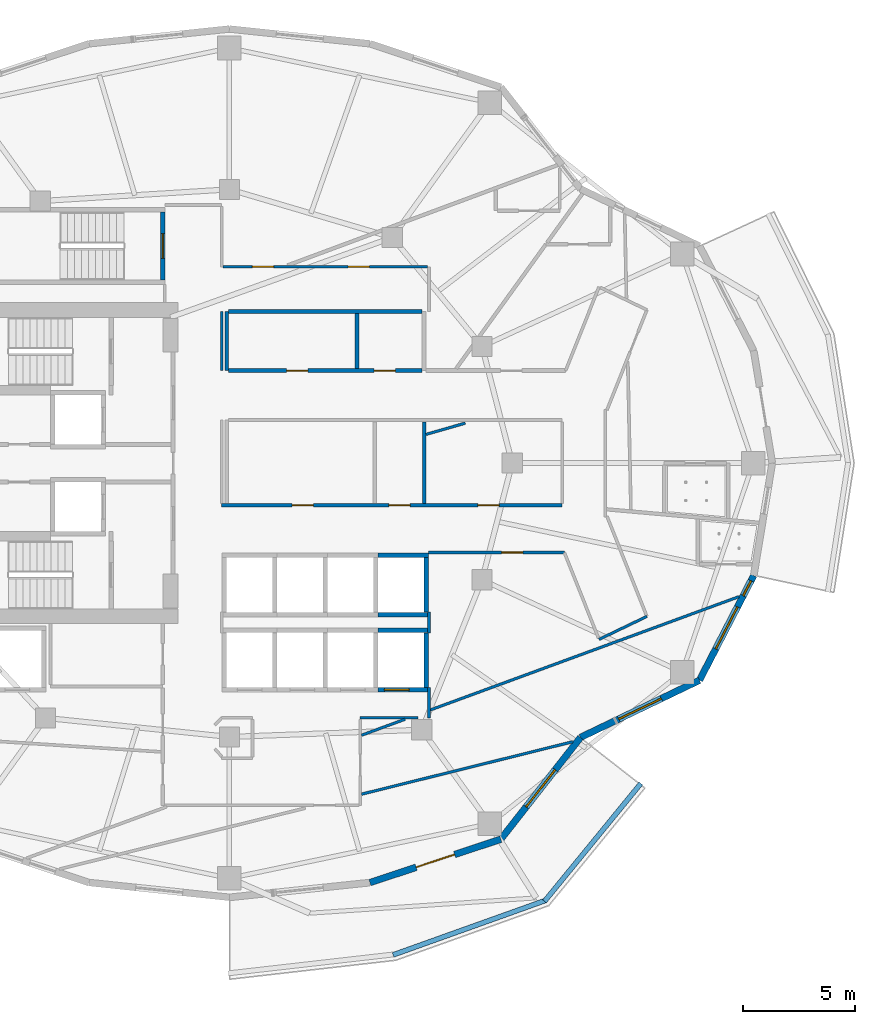
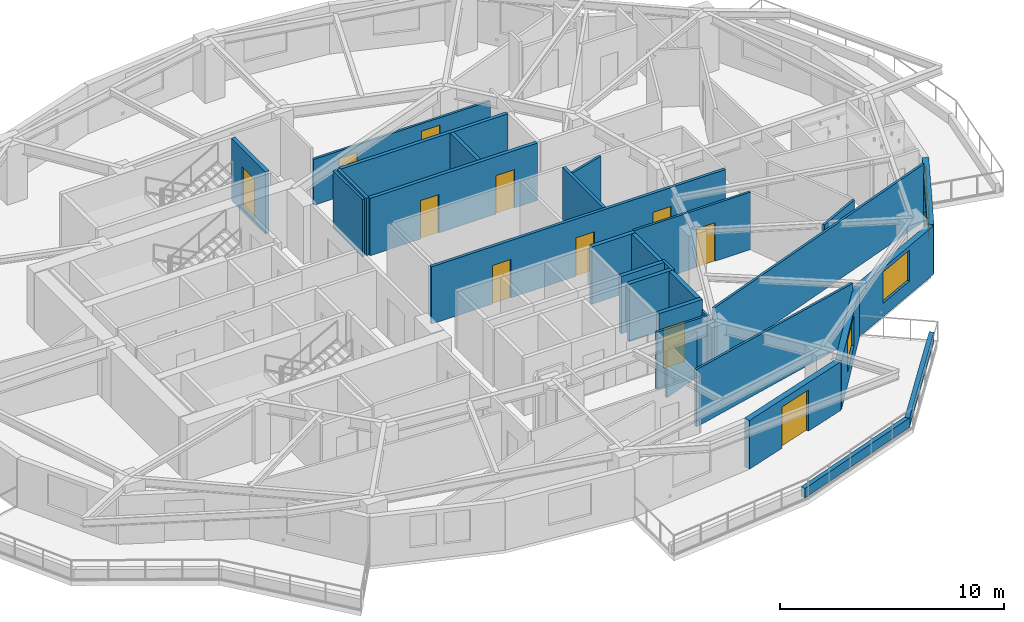
# One storey, part 5 of 14: 30 walls, 11 doors, 4 windows, 15 openings.
"""IFC4 building model written with IfcOpenShell, lengths in metres."""

from ifc_helpers import new_model, si_unit, direction, frame, frame_2d, origin, place, context, subcontext, project, spatial, rectangle, extrude, material, layer, layer_set, type_object, element, fill, save


model = new_model("IFC4")

# Units and contexts
model_context = context("Model", 3, precision=1e-05, world=origin(), true_north=direction((0.0, 1.0)))
body_context = subcontext(model_context, "Body", "Model", "MODEL_VIEW")
ifc_project = project(units=[si_unit("LENGTHUNIT", "METRE"), si_unit("AREAUNIT", "SQUARE_METRE"), si_unit("VOLUMEUNIT", "CUBIC_METRE"), si_unit("PLANEANGLEUNIT", "RADIAN"), si_unit("MASSUNIT", "GRAM", prefix="KILO")], contexts=[model_context])

# Site, building, storey
site_placement = place(None, origin())
site = spatial("IfcSite", under=ifc_project, at=site_placement, CompositionType="ELEMENT")
building_placement = place(site_placement, origin())
building = spatial("IfcBuilding", under=site, at=building_placement, Name="Kolvaren Gate Tower and Convention Centre", CompositionType="ELEMENT")
storey_placement = place(building_placement, frame((0.0, 0.0, 132.5)))
storey = spatial("IfcBuildingStorey", under=building, at=storey_placement, Name="L33", CompositionType="ELEMENT", Elevation=132.5)

# Wall, openings, doors
ifc_material_1 = material(Name="Autoclaved Aerated Masonry Blockwork Class 4 (4.0 MPa)", Category="masonry")
ifc_layer_1 = layer(ifc_material_1, 0.179931640625)
ifc_layer_set_1 = layer_set([ifc_layer_1], Name="Autoclaved Aerated Masonry Blockwork Class 4 (4.0 MPa)")
wall_type_1 = type_object("IfcWallType", Name="ARCH-WL-COMP-180", PredefinedType="SOLIDWALL", material=ifc_layer_set_1)
wall_1_placement = place(storey_placement, frame((30.076904296875, 31.1201171875, 0.0), z_axis=(0.0, 0.0, 1.0), x_axis=(1.0, 0.0, 0.0)))
wall_1 = element("IfcWall", 1, at=wall_1_placement, inside=storey, type_object=wall_type_1, Name="Interior Partition WL-L33-INT-019", PredefinedType="SOLIDWALL", context=body_context, shape_type="SweptSolid", body=[
    extrude(rectangle(XDim=8.631103515625, YDim=0.179931640625, at=frame_2d((4.3154296875, 0.0))), origin(), (0.0, 0.0, 1.0), 3.1298828125),
])
opening_1_placement = place(wall_1_placement, frame((2.591552734375, 0.0, 0.0)))
opening_1 = element("IfcOpeningElement", 2, at=opening_1_placement, cuts=wall_1, Name="Opening DR-01", PredefinedType="OPENING", context=body_context, shape_type="SweptSolid", body=[
    extrude(rectangle(XDim=0.949951171875, YDim=2.10009765625, at=frame_2d((0.47509765625, 1.050048828125))), frame((0.0, 0.099853515625, 0.0), z_axis=(0.0, -1.0, 0.0), x_axis=(1.0, 0.0, 0.0)), (0.0, 0.0, 1.0), 0.199951171875),
])
opening_2_placement = place(wall_1_placement, frame((6.4970703125, 0.0, 0.0)))
opening_2 = element("IfcOpeningElement", 3, at=opening_2_placement, cuts=wall_1, Name="Opening DR-01", PredefinedType="OPENING", context=body_context, shape_type="SweptSolid", body=[
    extrude(rectangle(XDim=0.949951171875, YDim=2.10009765625, at=frame_2d((0.47509765625, 1.050048828125))), frame((0.0, 0.099853515625, 0.0), z_axis=(0.0, -1.0, 0.0), x_axis=(1.0, 0.0, 0.0)), (0.0, 0.0, 1.0), 0.199951171875),
])
ifc_material_2 = material(Name="Painted Architectural Steelwork ASTM A500 Grade C 345 MPa", Category="steel")
door_type_1 = type_object("IfcDoorType", Name="ARCH-DR-RISER-950", OperationType="SINGLE_SWING_RIGHT", PredefinedType="DOOR", material=ifc_material_2)
door_1_placement = place(opening_1_placement, origin())
door_1 = element("IfcDoor", 4, at=door_1_placement, inside=storey, type_object=door_type_1, Name="Steward Supply Store Door", OperationType="SINGLE_SWING_LEFT", OverallHeight=2.10009765625, OverallWidth=0.949951171875, PredefinedType="DOOR", context=body_context, shape_type="SweptSolid", body=[
    extrude(rectangle(XDim=0.949951171875, YDim=2.10009765625, at=frame_2d((0.47509765625, 1.050048828125))), frame((0.0, 0.02490234375, 0.0), z_axis=(0.0, -1.0, 0.0), x_axis=(1.0, 0.0, 0.0)), (0.0, 0.0, 1.0), 0.050048828125),
])
fill(opening_1, door_1)
door_2_placement = place(opening_2_placement, origin())
door_2 = element("IfcDoor", 5, at=door_2_placement, inside=storey, type_object=door_type_1, Name="Floor Telecom Switch Room Door", OperationType="SINGLE_SWING_RIGHT", OverallHeight=2.10009765625, OverallWidth=0.949951171875, PredefinedType="DOOR", context=body_context, shape_type="SweptSolid", body=[
    extrude(rectangle(XDim=0.949951171875, YDim=2.10009765625, at=frame_2d((0.47509765625, 1.050048828125))), frame((0.0, 0.02490234375, 0.0), z_axis=(0.0, -1.0, 0.0), x_axis=(1.0, 0.0, 0.0)), (0.0, 0.0, 1.0), 0.050048828125),
])
fill(opening_2, door_2)

# Walls
wall_2_placement = place(storey_placement, frame((30.076904296875, 33.75, 0.0), z_axis=(0.0, 0.0, 1.0), x_axis=(1.0, 0.0, 0.0)))
element("IfcWall", 6, at=wall_2_placement, inside=storey, type_object=wall_type_1, Name="Interior Partition WL-L33-INT-020", PredefinedType="SOLIDWALL", context=body_context, shape_type="SweptSolid", body=[
    extrude(rectangle(XDim=8.631103515625, YDim=0.179931640625, at=frame_2d((4.3154296875, 0.0))), origin(), (0.0, 0.0, 1.0), 3.1298828125),
])
wall_3_placement = place(storey_placement, frame((35.800048828125, 31.2119140625, 0.0), z_axis=(0.0, 0.0, 1.0), x_axis=(0.0, 1.0, 0.0)))
element("IfcWall", 7, at=wall_3_placement, inside=storey, type_object=wall_type_1, Name="Interior Partition WL-L33-INT-021", PredefinedType="SOLIDWALL", context=body_context, shape_type="SweptSolid", body=[
    extrude(rectangle(XDim=2.446044921875, YDim=0.179931640625, at=frame_2d((1.22314453125, 0.0))), origin(), (0.0, 0.0, 1.0), 3.1298828125),
])
ifc_material_3 = material(Name="Fire-Rated Acoustic Gypsum Stud Partition", Category="gypsum")
ifc_layer_2 = layer(ifc_material_3, 0.1201171875)
ifc_layer_set_2 = layer_set([ifc_layer_2], Name="Fire-Rated Acoustic Gypsum Stud Partition")
wall_type_2 = type_object("IfcWallType", Name="ARCH-WL-PART-120", PredefinedType="PARTITIONING", material=ifc_layer_set_2)
wall_4_placement = place(storey_placement, frame((39.02001953125, 15.64990234375, 0.0), z_axis=(0.0, 0.0, 1.0), x_axis=(0.0, 1.0, 0.0)))
element("IfcWall", 8, at=wall_4_placement, inside=storey, type_object=wall_type_2, Name="Interior Partition WL-L33-INT-022", PredefinedType="PARTITIONING", context=body_context, shape_type="SweptSolid", body=[
    extrude(rectangle(XDim=1.360107421875, YDim=0.1201171875, at=frame_2d((0.68017578125, 0.0))), origin(), (0.0, 0.0, 1.0), 2.5048828125),
])
wall_5_placement = place(storey_placement, frame((39.02001953125, 19.43994140625, 0.0), z_axis=(0.0, 0.0, 1.0), x_axis=(0.0, 1.0, 0.0)))
element("IfcWall", 9, at=wall_5_placement, inside=storey, type_object=wall_type_2, Name="Interior Partition WL-L33-INT-022 (2)", PredefinedType="PARTITIONING", context=body_context, shape_type="SweptSolid", body=[
    extrude(rectangle(XDim=0.920166015625, YDim=0.1201171875, at=frame_2d((0.4599609375, 0.0))), origin(), (0.0, 0.0, 1.0), 3.1298828125),
])
wall_6_placement = place(storey_placement, frame((35.949951171875, 15.64990234375, 0.0), z_axis=(0.0, 0.0, 1.0), x_axis=(1.0, 0.0, 0.0)))
element("IfcWall", 10, at=wall_6_placement, inside=storey, type_object=wall_type_2, Name="Interior Partition WL-L33-INT-025", PredefinedType="PARTITIONING", context=body_context, shape_type="SweptSolid", body=[
    extrude(rectangle(XDim=2.568115234375, YDim=0.1201171875, at=frame_2d((1.2841796875, 0.0))), origin(), (0.0, 0.0, 1.0), 3.1298828125),
])
wall_7_placement = place(storey_placement, frame((29.780029296875, 31.1201171875, 0.0), z_axis=(0.0, 0.0, 1.0), x_axis=(0.0, 1.0, 0.0)))
element("IfcWall", 11, at=wall_7_placement, inside=storey, type_object=wall_type_2, Name="Interior Partition WL-L33-INT-032", PredefinedType="PARTITIONING", context=body_context, shape_type="SweptSolid", body=[
    extrude(rectangle(XDim=2.6298828125, YDim=0.1201171875, at=frame_2d((1.31494140625, 0.0))), origin(), (0.0, 0.0, 1.0), 3.1298828125),
])

# Wall, openings, doors
wall_8_placement = place(storey_placement, frame((29.842041015625, 35.75, 0.0), z_axis=(0.0, 0.0, 1.0), x_axis=(1.0, 0.0, 0.0)))
wall_8 = element("IfcWall", 12, at=wall_8_placement, inside=storey, type_object=wall_type_2, Name="Interior Partition WL-L33-INT-034", PredefinedType="PARTITIONING", context=body_context, shape_type="SweptSolid", body=[
    extrude(rectangle(XDim=9.115966796875, YDim=0.1201171875, at=frame_2d((4.55810546875, 0.0))), origin(), (0.0, 0.0, 1.0), 2.5048828125),
])
opening_3_placement = place(wall_8_placement, frame((5.56787109375, 0.0, 0.0)))
opening_3 = element("IfcOpeningElement", 13, at=opening_3_placement, cuts=wall_8, Name="Opening DR-01", PredefinedType="OPENING", context=body_context, shape_type="SweptSolid", body=[
    extrude(rectangle(XDim=0.949951171875, YDim=2.10009765625, at=frame_2d((0.47509765625, 1.050048828125))), frame((0.0, 0.070068359375, 0.0), z_axis=(0.0, -1.0, 0.0), x_axis=(1.0, 0.0, 0.0)), (0.0, 0.0, 1.0), 0.14013671875),
])
opening_4_placement = place(wall_8_placement, frame((1.302490234375, 0.0, 0.0)))
opening_4 = element("IfcOpeningElement", 14, at=opening_4_placement, cuts=wall_8, Name="Opening DR-01", PredefinedType="OPENING", context=body_context, shape_type="SweptSolid", body=[
    extrude(rectangle(XDim=0.949951171875, YDim=2.10009765625, at=frame_2d((0.47509765625, 1.050048828125))), frame((0.0, 0.070068359375, 0.0), z_axis=(0.0, -1.0, 0.0), x_axis=(1.0, 0.0, 0.0)), (0.0, 0.0, 1.0), 0.14013671875),
])
door_3_placement = place(opening_3_placement, origin())
door_3 = element("IfcDoor", 15, at=door_3_placement, inside=storey, type_object=door_type_1, Name="Hotel Guest Room (HTL-L33-09) Door", OperationType="SINGLE_SWING_LEFT", OverallHeight=2.10009765625, OverallWidth=0.949951171875, PredefinedType="DOOR", context=body_context, shape_type="SweptSolid", body=[
    extrude(rectangle(XDim=0.949951171875, YDim=2.10009765625, at=frame_2d((0.47509765625, 1.050048828125))), frame((0.0, 0.02490234375, 0.0), z_axis=(0.0, -1.0, 0.0), x_axis=(1.0, 0.0, 0.0)), (0.0, 0.0, 1.0), 0.050048828125),
])
fill(opening_3, door_3)
door_4_placement = place(opening_4_placement, origin())
door_4 = element("IfcDoor", 16, at=door_4_placement, inside=storey, type_object=door_type_1, Name="Hotel Botanical Clubroom Door", OperationType="SINGLE_SWING_RIGHT", OverallHeight=2.10009765625, OverallWidth=0.949951171875, PredefinedType="DOOR", context=body_context, shape_type="SweptSolid", body=[
    extrude(rectangle(XDim=0.949951171875, YDim=2.10009765625, at=frame_2d((0.47509765625, 1.050048828125))), frame((0.0, 0.02490234375, 0.0), z_axis=(0.0, -1.0, 0.0), x_axis=(1.0, 0.0, 0.0)), (0.0, 0.0, 1.0), 0.050048828125),
])
fill(opening_4, door_4)

# Wall
wall_9_placement = place(storey_placement, frame((46.593994140625, 19.14501953125, 0.0), z_axis=(0.0, 0.0, 1.0), x_axis=(0.901274899261, 0.433247684312, 0.0)))
element("IfcWall", 17, at=wall_9_placement, inside=storey, type_object=wall_type_2, Name="Interior Partition WL-L33-INT-040", PredefinedType="PARTITIONING", context=body_context, shape_type="SweptSolid", body=[
    extrude(rectangle(XDim=2.36572265625, YDim=0.1201171875, at=frame_2d((1.182861328125, 0.0))), origin(), (0.0, 0.0, 1.0), 3.1298828125),
])

# Wall, opening, door
wall_10_placement = place(storey_placement, frame((39.0, 23.02001953125, 0.0), z_axis=(0.0, 0.0, 1.0), x_axis=(1.0, 0.0, 0.0)))
wall_10 = element("IfcWall", 18, at=wall_10_placement, inside=storey, type_object=wall_type_2, Name="Interior Partition WL-L33-INT-042", PredefinedType="PARTITIONING", context=body_context, shape_type="SweptSolid", body=[
    extrude(rectangle(XDim=6.050048828125, YDim=0.1201171875, at=frame_2d((3.02490234375, 0.0))), origin(), (0.0, 0.0, 1.0), 3.1298828125),
])
opening_5_placement = place(wall_10_placement, frame((3.25, 0.0, 0.0)))
opening_5 = element("IfcOpeningElement", 19, at=opening_5_placement, cuts=wall_10, Name="Opening DR-01", PredefinedType="OPENING", context=body_context, shape_type="SweptSolid", body=[
    extrude(rectangle(XDim=0.949951171875, YDim=2.10009765625, at=frame_2d((0.47509765625, 1.050048828125))), frame((0.0, 0.070068359375, 0.0), z_axis=(0.0, -1.0, 0.0), x_axis=(1.0, 0.0, 0.0)), (0.0, 0.0, 1.0), 0.14013671875),
])
door_5_placement = place(opening_5_placement, origin())
door_5 = element("IfcDoor", 20, at=door_5_placement, inside=storey, type_object=door_type_1, Name="Hotel Guest Room (HTL-L33-05) Door", OperationType="SINGLE_SWING_LEFT", OverallHeight=2.10009765625, OverallWidth=0.949951171875, PredefinedType="DOOR", context=body_context, shape_type="SweptSolid", body=[
    extrude(rectangle(XDim=0.949951171875, YDim=2.10009765625, at=frame_2d((0.47509765625, 1.050048828125))), frame((0.0, 0.02490234375, 0.0), z_axis=(0.0, -1.0, 0.0), x_axis=(1.0, 0.0, 0.0)), (0.0, 0.0, 1.0), 0.050048828125),
])
fill(opening_5, door_5)

# Walls
wall_11_placement = place(storey_placement, frame((36.011962890625, 14.875732421875, 0.0), z_axis=(0.0, 0.0, 1.0), x_axis=(0.938757901669, 0.344577425339, 0.0)))
element("IfcWall", 21, at=wall_11_placement, inside=storey, type_object=wall_type_2, Name="Interior Partition WL-L33-INT-052", PredefinedType="PARTITIONING", context=body_context, shape_type="SweptSolid", body=[
    extrude(rectangle(XDim=2.066650390625, YDim=0.1201171875, at=frame_2d((1.033203125, 0.0))), origin(), (0.0, 0.0, 1.0), 2.5048828125),
])
wall_12_placement = place(storey_placement, frame((39.08203125, 16.0029296875, 0.0), z_axis=(0.0, 0.0, 1.0), x_axis=(0.93872535699, 0.344666076288, 0.0)))
element("IfcWall", 22, at=wall_12_placement, inside=storey, type_object=wall_type_2, Name="Interior Partition WL-L33-INT-053", PredefinedType="PARTITIONING", context=body_context, shape_type="SweptSolid", body=[
    extrude(rectangle(XDim=14.64501953125, YDim=0.1201171875, at=frame_2d((7.322509765625, 0.0))), origin(), (0.0, 0.0, 1.0), 3.1298828125),
])
wall_13_placement = place(storey_placement, frame((36.011962890625, 12.249267578125, 0.0), z_axis=(0.0, 0.0, 1.0), x_axis=(0.970568919411, 0.24082353015, 0.0)))
element("IfcWall", 23, at=wall_13_placement, inside=storey, type_object=wall_type_2, Name="Interior Partition WL-L33-INT-055", PredefinedType="PARTITIONING", context=body_context, shape_type="SweptSolid", body=[
    extrude(rectangle(XDim=9.69873046875, YDim=0.1201171875, at=frame_2d((4.849365234375, 0.0))), origin(), (0.0, 0.0, 1.0), 3.1298828125),
])
wall_14_placement = place(storey_placement, frame((38.876953125, 28.279052734375, 0.0), z_axis=(0.0, 0.0, 1.0), x_axis=(0.96129187977, 0.275532070524, 0.0)))
element("IfcWall", 24, at=wall_14_placement, inside=storey, type_object=wall_type_2, Name="Interior Partition WL-L33-INT-058", PredefinedType="PARTITIONING", context=body_context, shape_type="SweptSolid", body=[
    extrude(rectangle(XDim=1.828857421875, YDim=0.1201171875, at=frame_2d((0.91455078125, 0.0))), origin(), (0.0, 0.0, 1.0), 3.1298828125),
])
ifc_material_4 = material(Name="Piedmont Cream Honed Limestone Cladding", Category="masonry")
ifc_layer_3 = layer(ifc_material_4, 0.219970703125)
ifc_layer_set_3 = layer_set([ifc_layer_3], Name="Piedmont Cream Honed Limestone Cladding")
wall_type_3 = type_object("IfcWallType", Name="ARCH-WL-PLANTER-220", PredefinedType="PARAPET", material=ifc_layer_set_3)
wall_15_placement = place(storey_placement, frame((37.4189453125, 5.08740234375, 0.0), z_axis=(0.0, 0.0, 1.0), x_axis=(0.941632697311, 0.336642040387, 0.0)))
element("IfcWall", 25, at=wall_15_placement, inside=storey, type_object=wall_type_3, Name="Vertical-Forest Balcony Stone Planter Kerb PK-L33-3.2", PredefinedType="PARAPET", context=body_context, shape_type="SweptSolid", body=[
    extrude(rectangle(XDim=7.235595703125, YDim=0.219970703125, at=frame_2d((3.61767578125, 0.0))), origin(), (0.0, 0.0, 1.0), 0.52001953125),
])
wall_16_placement = place(storey_placement, frame((44.1669921875, 7.476806640625, 0.0), z_axis=(0.0, 0.0, 1.0), x_axis=(0.633002467947, 0.77414977593, 0.0)))
element("IfcWall", 26, at=wall_16_placement, inside=storey, type_object=wall_type_3, Name="Vertical-Forest Balcony Stone Planter Kerb PK-L33-3.3", PredefinedType="PARAPET", context=body_context, shape_type="SweptSolid", body=[
    extrude(rectangle(XDim=6.7802734375, YDim=0.219970703125, at=frame_2d((3.39013671875, 0.0))), origin(), (0.0, 0.0, 1.0), 0.52001953125),
])
ifc_layer_4 = layer(ifc_material_1, 0.199951171875)
ifc_layer_set_4 = layer_set([ifc_layer_4], Name="Autoclaved Aerated Masonry Blockwork Class 4 (4.0 MPa)")
wall_type_4 = type_object("IfcWallType", Name="ARCH-WL-SHAFT-200", PredefinedType="SOLIDWALL", material=ifc_layer_set_4)
wall_17_placement = place(storey_placement, frame((36.75, 19.550048828125, 0.0), z_axis=(0.0, 0.0, 1.0), x_axis=(1.0, 0.0, 0.0)))
element("IfcWall", 27, at=wall_17_placement, inside=storey, type_object=wall_type_4, Name="Elevator PL-08 L33 Fire Shaft Wall N", PredefinedType="SOLIDWALL", context=body_context, shape_type="SweptSolid", body=[
    extrude(rectangle(XDim=2.25, YDim=0.199951171875, at=frame_2d((1.125, 0.0))), origin(), (0.0, 0.0, 1.0), 3.1298828125),
])

# Wall, opening, door
wall_18_placement = place(storey_placement, frame((36.75, 16.89990234375, 0.0), z_axis=(0.0, 0.0, 1.0), x_axis=(1.0, 0.0, 0.0)))
wall_18 = element("IfcWall", 28, at=wall_18_placement, inside=storey, type_object=wall_type_4, Name="Elevator PL-08 L33 Fire Shaft Wall S", PredefinedType="SOLIDWALL", context=body_context, shape_type="SweptSolid", body=[
    extrude(rectangle(XDim=2.25, YDim=0.199951171875, at=frame_2d((1.125, 0.0))), origin(), (0.0, 0.0, 1.0), 3.1298828125),
])
opening_6_placement = place(wall_18_placement, frame((0.280029296875, 0.0, 0.0)))
opening_6 = element("IfcOpeningElement", 29, at=opening_6_placement, cuts=wall_18, Name="Opening LD", PredefinedType="OPENING", context=body_context, shape_type="SweptSolid", body=[
    extrude(rectangle(XDim=1.10009765625, YDim=2.199951171875, at=frame_2d((0.550048828125, 1.10009765625))), frame((0.0, 0.10986328125, 0.0), z_axis=(0.0, -1.0, 0.0), x_axis=(1.0, 0.0, 0.0)), (0.0, 0.0, 1.0), 0.219970703125),
])
ifc_material_5 = material(Name="Brushed Stainless Steel Grade 316L", Category="steel")
door_type_2 = type_object("IfcDoorType", Name="ARCH-DR-LIFT-1100", OperationType="SLIDING_TO_LEFT", PredefinedType="DOOR", material=ifc_material_5)
door_6_placement = place(opening_6_placement, origin())
door_6 = element("IfcDoor", 30, at=door_6_placement, inside=storey, type_object=door_type_2, Name="Elevator PL-08 L33 Sliding Landing Door", OperationType="SLIDING_TO_LEFT", OverallHeight=2.199951171875, OverallWidth=1.10009765625, PredefinedType="DOOR", context=body_context, shape_type="SweptSolid", body=[
    extrude(rectangle(XDim=1.10009765625, YDim=2.199951171875, at=frame_2d((0.550048828125, 1.10009765625))), frame((0.0, 0.02490234375, 0.0), z_axis=(0.0, -1.0, 0.0), x_axis=(1.0, 0.0, 0.0)), (0.0, 0.0, 1.0), 0.050048828125),
])
fill(opening_6, door_6)

# Walls
wall_19_placement = place(storey_placement, frame((38.89990234375, 17.010009765625, 0.0), z_axis=(0.0, 0.0, 1.0), x_axis=(0.0, 1.0, 0.0)))
element("IfcWall", 31, at=wall_19_placement, inside=storey, type_object=wall_type_4, Name="Elevator PL-08 L33 Fire Shaft Wall E", PredefinedType="SOLIDWALL", context=body_context, shape_type="SweptSolid", body=[
    extrude(rectangle(XDim=2.429931640625, YDim=0.199951171875, at=frame_2d((1.21484375, 0.0))), origin(), (0.0, 0.0, 1.0), 3.1298828125),
])
for number, where, z_axis, x_axis, name in (
    (32, (36.75, 22.89990234375, 0.0), (0.0, 0.0, 1.0), (1.0, 0.0, 0.0), "Elevator PL-12 L33 Fire Shaft Wall N"),
    (33, (36.75, 20.25, 0.0), (0.0, 0.0, 1.0), (1.0, 0.0, 0.0), "Elevator PL-12 L33 Fire Shaft Wall S"),
):
    element("IfcWall", number, at=place(storey_placement, frame(where, z_axis=z_axis, x_axis=x_axis)), inside=storey, type_object=wall_type_4, Name=name, PredefinedType="SOLIDWALL", context=body_context, shape_type="SweptSolid", body=[
        extrude(rectangle(XDim=2.25, YDim=0.199951171875, at=frame_2d((1.125, 0.0))), origin(), (0.0, 0.0, 1.0), 3.1298828125),
    ])
wall_20_placement = place(storey_placement, frame((38.89990234375, 20.360107421875, 0.0), z_axis=(0.0, 0.0, 1.0), x_axis=(0.0, 1.0, 0.0)))
element("IfcWall", 34, at=wall_20_placement, inside=storey, type_object=wall_type_4, Name="Elevator PL-12 L33 Fire Shaft Wall E", PredefinedType="SOLIDWALL", context=body_context, shape_type="SweptSolid", body=[
    extrude(rectangle(XDim=2.429931640625, YDim=0.199951171875, at=frame_2d((1.21484375, 0.0))), origin(), (0.0, 0.0, 1.0), 3.1298828125),
])

# Wall, opening, door
ifc_layer_5 = layer(ifc_material_4, 0.300048828125)
ifc_layer_set_5 = layer_set([ifc_layer_5], Name="Piedmont Cream Honed Limestone Cladding")
wall_type_5 = type_object("IfcWallType", Name="ARCH-WL-STONE-300", PredefinedType="SOLIDWALL", material=ifc_layer_set_5)
wall_21_placement = place(storey_placement, frame((36.38525390625, 8.309326171875, 0.0), z_axis=(0.0, 0.0, 1.0), x_axis=(0.949238009374, 0.314558741032, 0.0)))
wall_21 = element("IfcWall", 35, at=wall_21_placement, inside=storey, type_object=wall_type_5, Name="Tower L33 Honed Stone Spandrel Wall EW-19", PredefinedType="SOLIDWALL", context=body_context, shape_type="SweptSolid", body=[
    extrude(rectangle(XDim=6.1455078125, YDim=0.300048828125, at=frame_2d((3.07275390625, 0.0))), origin(), (0.0, 0.0, 1.0), 2.653076171875),
])
opening_7_placement = place(wall_21_placement, frame((2.173095703125, 0.0, 0.0)))
opening_7 = element("IfcOpeningElement", 36, at=opening_7_placement, cuts=wall_21, Name="Opening DB-01", PredefinedType="OPENING", context=body_context, shape_type="SweptSolid", body=[
    extrude(rectangle(XDim=1.800048828125, YDim=2.25, at=frame_2d((0.89990234375, 1.125))), frame((0.0, 0.159912109375, 0.0), z_axis=(0.0, -1.0, 0.0), x_axis=(1.0, 0.0, 0.0)), (0.0, 0.0, 1.0), 0.320068359375),
])
ifc_material_6 = material(Name="Anodized Architectural Aluminium Alloy 6063-T6", Category="aluminium")
door_type_3 = type_object("IfcDoorType", Name="ARCH-DR-BALC-1800", OperationType="SLIDING_TO_LEFT", PredefinedType="DOOR", material=ifc_material_6)
door_7_placement = place(opening_7_placement, frame((1.800048828125, 0.0, 0.0), z_axis=(0.0, 0.0, 1.0), x_axis=(-1.0, 0.0, 0.0)))
door_7 = element("IfcDoor", 37, at=door_7_placement, inside=storey, type_object=door_type_3, Name="Planted Sky Terrace Access Door DB-L33-19", OperationType="SLIDING_TO_LEFT", OverallHeight=2.25, OverallWidth=1.800048828125, PredefinedType="DOOR", context=body_context, shape_type="SweptSolid", body=[
    extrude(rectangle(XDim=1.800048828125, YDim=2.25, at=frame_2d((0.89990234375, 1.125))), frame((0.0, 0.02490234375, 0.0), z_axis=(0.0, -1.0, 0.0), x_axis=(1.0, 0.0, 0.0)), (0.0, 0.0, 1.0), 0.050048828125),
])
fill(opening_7, door_7)

# Wall, opening, window
wall_22_placement = place(storey_placement, frame((42.21875, 10.242431640625, 0.0), z_axis=(0.0, 0.0, 1.0), x_axis=(0.616435134162, 0.787405693001, 0.0)))
wall_22 = element("IfcWall", 38, at=wall_22_placement, inside=storey, type_object=wall_type_5, Name="Tower L33 Honed Stone Spandrel Wall EW-20", PredefinedType="SOLIDWALL", context=body_context, shape_type="SweptSolid", body=[
    extrude(rectangle(XDim=5.759033203125, YDim=0.300048828125, at=frame_2d((2.87939453125, 0.0))), origin(), (0.0, 0.0, 1.0), 2.653076171875),
])
opening_8_placement = place(wall_22_placement, frame((1.8291015625, 0.0, 0.739990234375)))
opening_8 = element("IfcOpeningElement", 39, at=opening_8_placement, cuts=wall_22, Name="Opening W-02", PredefinedType="OPENING", context=body_context, shape_type="SweptSolid", body=[
    extrude(rectangle(XDim=2.10009765625, YDim=1.699951171875, at=frame_2d((1.050048828125, 0.85009765625))), frame((0.0, 0.159912109375, 0.0), z_axis=(0.0, -1.0, 0.0), x_axis=(1.0, 0.0, 0.0)), (0.0, 0.0, 1.0), 0.320068359375),
])
ifc_material_7 = material(Name="Low-E Triple Insulated Glazing Unit 44 mm", Category="glass")
window_type_1 = type_object("IfcWindowType", Name="ARCH-WN-HTL-2100", PartitioningType="SINGLE_PANEL", PredefinedType="WINDOW", material=ifc_material_7)
window_1_placement = place(opening_8_placement, origin())
window_1 = element("IfcWindow", 40, at=window_1_placement, inside=storey, type_object=window_type_1, Name="Tower L33 Punched Stone Facade Window W-20", OverallHeight=1.699951171875, OverallWidth=2.10009765625, PartitioningType="SINGLE_PANEL", PredefinedType="WINDOW", context=body_context, shape_type="SweptSolid", body=[
    extrude(rectangle(XDim=2.10009765625, YDim=1.699951171875, at=frame_2d((1.050048828125, 0.85009765625))), frame((0.0, 0.030029296875, 0.0), z_axis=(0.0, -1.0, 0.0), x_axis=(1.0, 0.0, 0.0)), (0.0, 0.0, 1.0), 0.06005859375),
])
fill(opening_8, window_1)

wall_23_placement = place(storey_placement, frame((45.768798828125, 14.777099609375, 0.0), z_axis=(0.0, 0.0, 1.0), x_axis=(0.901370184739, 0.433049408339, 0.0)))
wall_23 = element("IfcWall", 41, at=wall_23_placement, inside=storey, type_object=wall_type_5, Name="Tower L33 Honed Stone Spandrel Wall EW-21", PredefinedType="SOLIDWALL", context=body_context, shape_type="SweptSolid", body=[
    extrude(rectangle(XDim=5.883544921875, YDim=0.300048828125, at=frame_2d((2.94189453125, 0.0))), origin(), (0.0, 0.0, 1.0), 2.653076171875),
])
opening_9_placement = place(wall_23_placement, frame((1.89208984375, 0.0, 0.739990234375)))
opening_9 = element("IfcOpeningElement", 42, at=opening_9_placement, cuts=wall_23, Name="Opening W-02", PredefinedType="OPENING", context=body_context, shape_type="SweptSolid", body=[
    extrude(rectangle(XDim=2.10009765625, YDim=1.699951171875, at=frame_2d((1.050048828125, 0.85009765625))), frame((0.0, 0.159912109375, 0.0), z_axis=(0.0, -1.0, 0.0), x_axis=(1.0, 0.0, 0.0)), (0.0, 0.0, 1.0), 0.320068359375),
])
window_2_placement = place(opening_9_placement, origin())
window_2 = element("IfcWindow", 43, at=window_2_placement, inside=storey, type_object=window_type_1, Name="Tower L33 Punched Stone Facade Window W-21", OverallHeight=1.699951171875, OverallWidth=2.10009765625, PartitioningType="SINGLE_PANEL", PredefinedType="WINDOW", context=body_context, shape_type="SweptSolid", body=[
    extrude(rectangle(XDim=2.10009765625, YDim=1.699951171875, at=frame_2d((1.050048828125, 0.85009765625))), frame((0.0, 0.030029296875, 0.0), z_axis=(0.0, -1.0, 0.0), x_axis=(1.0, 0.0, 0.0)), (0.0, 0.0, 1.0), 0.06005859375),
])
fill(opening_9, window_2)

# Wall, openings, windows
wall_24_placement = place(storey_placement, frame((51.072021484375, 17.324951171875, 0.0), z_axis=(0.0, 0.0, 1.0), x_axis=(0.459767899643, 0.888039119892, 0.0)))
wall_24 = element("IfcWall", 44, at=wall_24_placement, inside=storey, type_object=wall_type_5, Name="Tower L33 Honed Stone Spandrel Wall EW-22", PredefinedType="SOLIDWALL", context=body_context, shape_type="SweptSolid", body=[
    extrude(rectangle(XDim=5.25537109375, YDim=0.300048828125, at=frame_2d((2.627685546875, 0.0))), origin(), (0.0, 0.0, 1.0), 2.653076171875),
])
opening_10_placement = place(wall_24_placement, frame((1.577880859375, 0.0, 0.739990234375)))
opening_10 = element("IfcOpeningElement", 45, at=opening_10_placement, cuts=wall_24, Name="Opening W-02", PredefinedType="OPENING", context=body_context, shape_type="SweptSolid", body=[
    extrude(rectangle(XDim=2.10009765625, YDim=1.699951171875, at=frame_2d((1.050048828125, 0.85009765625))), frame((0.0, 0.159912109375, 0.0), z_axis=(0.0, -1.0, 0.0), x_axis=(1.0, 0.0, 0.0)), (0.0, 0.0, 1.0), 0.320068359375),
])
opening_11_placement = place(wall_24_placement, frame((4.239990234375, 0.0, 0.719970703125)))
opening_11 = element("IfcOpeningElement", 46, at=opening_11_placement, cuts=wall_24, Name="Opening W-07", PredefinedType="OPENING", context=body_context, shape_type="SweptSolid", body=[
    extrude(rectangle(XDim=0.75, YDim=1.64990234375, at=frame_2d((0.375, 0.824951171875))), frame((0.0, 0.159912109375, 0.0), z_axis=(0.0, -1.0, 0.0), x_axis=(1.0, 0.0, 0.0)), (0.0, 0.0, 1.0), 0.320068359375),
])
window_3_placement = place(opening_10_placement, origin())
window_3 = element("IfcWindow", 47, at=window_3_placement, inside=storey, type_object=window_type_1, Name="Tower L33 Punched Stone Facade Window W-22", OverallHeight=1.699951171875, OverallWidth=2.10009765625, PartitioningType="SINGLE_PANEL", PredefinedType="WINDOW", context=body_context, shape_type="SweptSolid", body=[
    extrude(rectangle(XDim=2.10009765625, YDim=1.699951171875, at=frame_2d((1.050048828125, 0.85009765625))), frame((0.0, 0.030029296875, 0.0), z_axis=(0.0, -1.0, 0.0), x_axis=(1.0, 0.0, 0.0)), (0.0, 0.0, 1.0), 0.06005859375),
])
fill(opening_10, window_3)
window_type_2 = type_object("IfcWindowType", Name="ARCH-WN-SLOT-750", PartitioningType="SINGLE_PANEL", PredefinedType="WINDOW", material=ifc_material_7)
window_4_placement = place(opening_11_placement, origin())
window_4 = element("IfcWindow", 48, at=window_4_placement, inside=storey, type_object=window_type_2, Name="Tower L33 Dwelling Daylight Window DW-01", OverallHeight=1.64990234375, OverallWidth=0.75, PartitioningType="SINGLE_PANEL", PredefinedType="WINDOW", context=body_context, shape_type="SweptSolid", body=[
    extrude(rectangle(XDim=0.75, YDim=1.64990234375, at=frame_2d((0.375, 0.824951171875))), frame((0.0, 0.030029296875, 0.0), z_axis=(0.0, -1.0, 0.0), x_axis=(1.0, 0.0, 0.0)), (0.0, 0.0, 1.0), 0.06005859375),
])
fill(opening_11, window_4)

# Wall, openings, doors
ifc_material_8 = material(Name="Moisture-Resistant Cement-Board Acoustic Partition", Category="gypsum")
ifc_layer_6 = layer(ifc_material_8, 0.14990234375)
ifc_layer_set_6 = layer_set([ifc_layer_6], Name="Moisture-Resistant Cement-Board Acoustic Partition")
wall_type_6 = type_object("IfcWallType", Name="ARCH-WL-WET-150", PredefinedType="PARTITIONING", material=ifc_layer_set_6)
wall_25_placement = place(storey_placement, frame((29.780029296875, 25.1201171875, 0.0), z_axis=(0.0, 0.0, 1.0), x_axis=(1.0, 0.0, 0.0)))
wall_25 = element("IfcWall", 49, at=wall_25_placement, inside=storey, type_object=wall_type_6, Name="Interior Partition WL-L33-INT-012", PredefinedType="PARTITIONING", context=body_context, shape_type="SweptSolid", body=[
    extrude(rectangle(XDim=15.169921875, YDim=0.14990234375, at=frame_2d((7.5849609375, 0.0))), origin(), (0.0, 0.0, 1.0), 3.1298828125),
])
opening_12_placement = place(wall_25_placement, frame((3.139892578125, 0.0, 0.0)))
opening_12 = element("IfcOpeningElement", 50, at=opening_12_placement, cuts=wall_25, Name="Opening DR-01", PredefinedType="OPENING", context=body_context, shape_type="SweptSolid", body=[
    extrude(rectangle(XDim=0.949951171875, YDim=2.10009765625, at=frame_2d((0.47509765625, 1.050048828125))), frame((0.0, 0.0849609375, 0.0), z_axis=(0.0, -1.0, 0.0), x_axis=(1.0, 0.0, 0.0)), (0.0, 0.0, 1.0), 0.169921875),
])
opening_13_placement = place(wall_25_placement, frame((7.445068359375, 0.0, 0.0)))
opening_13 = element("IfcOpeningElement", 51, at=opening_13_placement, cuts=wall_25, Name="Opening DR-01", PredefinedType="OPENING", context=body_context, shape_type="SweptSolid", body=[
    extrude(rectangle(XDim=0.949951171875, YDim=2.10009765625, at=frame_2d((0.47509765625, 1.050048828125))), frame((0.0, 0.0849609375, 0.0), z_axis=(0.0, -1.0, 0.0), x_axis=(1.0, 0.0, 0.0)), (0.0, 0.0, 1.0), 0.169921875),
])
opening_14_placement = place(wall_25_placement, frame((11.4150390625, 0.0, 0.0)))
opening_14 = element("IfcOpeningElement", 52, at=opening_14_placement, cuts=wall_25, Name="Opening DR-01", PredefinedType="OPENING", context=body_context, shape_type="SweptSolid", body=[
    extrude(rectangle(XDim=0.949951171875, YDim=2.10009765625, at=frame_2d((0.47509765625, 1.050048828125))), frame((0.0, 0.0849609375, 0.0), z_axis=(0.0, -1.0, 0.0), x_axis=(1.0, 0.0, 0.0)), (0.0, 0.0, 1.0), 0.169921875),
])
door_8_placement = place(opening_12_placement, origin())
door_8 = element("IfcDoor", 53, at=door_8_placement, inside=storey, type_object=door_type_1, Name="Accessible Universal Washroom Door", OperationType="SINGLE_SWING_LEFT", OverallHeight=2.10009765625, OverallWidth=0.949951171875, PredefinedType="DOOR", context=body_context, shape_type="SweptSolid", body=[
    extrude(rectangle(XDim=0.949951171875, YDim=2.10009765625, at=frame_2d((0.47509765625, 1.050048828125))), frame((0.0, 0.02490234375, 0.0), z_axis=(0.0, -1.0, 0.0), x_axis=(1.0, 0.0, 0.0)), (0.0, 0.0, 1.0), 0.050048828125),
])
fill(opening_12, door_8)
door_9_placement = place(opening_13_placement, origin())
door_9 = element("IfcDoor", 54, at=door_9_placement, inside=storey, type_object=door_type_1, Name="Hotel Housekeeping and Linen Store Door", OperationType="SINGLE_SWING_RIGHT", OverallHeight=2.10009765625, OverallWidth=0.949951171875, PredefinedType="DOOR", context=body_context, shape_type="SweptSolid", body=[
    extrude(rectangle(XDim=0.949951171875, YDim=2.10009765625, at=frame_2d((0.47509765625, 1.050048828125))), frame((0.0, 0.02490234375, 0.0), z_axis=(0.0, -1.0, 0.0), x_axis=(1.0, 0.0, 0.0)), (0.0, 0.0, 1.0), 0.050048828125),
])
fill(opening_13, door_9)
door_10_placement = place(opening_14_placement, origin())
door_10 = element("IfcDoor", 55, at=door_10_placement, inside=storey, type_object=door_type_1, Name="Hotel Botanical Clubroom Door", OperationType="SINGLE_SWING_RIGHT", OverallHeight=2.10009765625, OverallWidth=0.949951171875, PredefinedType="DOOR", context=body_context, shape_type="SweptSolid", body=[
    extrude(rectangle(XDim=0.949951171875, YDim=2.10009765625, at=frame_2d((0.47509765625, 1.050048828125))), frame((0.0, 0.02490234375, 0.0), z_axis=(0.0, -1.0, 0.0), x_axis=(1.0, 0.0, 0.0)), (0.0, 0.0, 1.0), 0.050048828125),
])
fill(opening_14, door_10)

# Walls
wall_26_placement = place(storey_placement, frame((30.0, 31.1201171875, 0.0), z_axis=(0.0, 0.0, 1.0), x_axis=(0.0, 1.0, 0.0)))
element("IfcWall", 56, at=wall_26_placement, inside=storey, type_object=wall_type_6, Name="Interior Partition WL-L33-INT-014", PredefinedType="PARTITIONING", context=body_context, shape_type="SweptSolid", body=[
    extrude(rectangle(XDim=2.6298828125, YDim=0.14990234375, at=frame_2d((1.31494140625, 0.0))), origin(), (0.0, 0.0, 1.0), 3.1298828125),
])
wall_27_placement = place(storey_placement, frame((38.800048828125, 25.197021484375, 0.0), z_axis=(0.0, 0.0, 1.0), x_axis=(0.0, 1.0, 0.0)))
element("IfcWall", 57, at=wall_27_placement, inside=storey, type_object=wall_type_6, Name="Interior Partition WL-L33-INT-017", PredefinedType="PARTITIONING", context=body_context, shape_type="SweptSolid", body=[
    extrude(rectangle(XDim=3.64599609375, YDim=0.14990234375, at=frame_2d((1.822998046875, 0.0))), origin(), (0.0, 0.0, 1.0), 3.1298828125),
])

# Wall, opening, door
ifc_material_9 = material(Name="Concrete C50/60", Category="concrete")
ifc_layer_7 = layer(ifc_material_9, 0.199951171875)
ifc_layer_set_7 = layer_set([ifc_layer_7], Name="Concrete C50/60")
wall_type_7 = type_object("IfcWallType", Name="STR-WL-SHAFT-200", PredefinedType="SHEAR", material=ifc_layer_set_7)
wall_28_placement = place(storey_placement, frame((27.14990234375, 35.159912109375, -0.27001953125), z_axis=(0.0, 0.0, 1.0), x_axis=(0.0, 1.0, 0.0)))
wall_28 = element("IfcWall", 58, at=wall_28_placement, inside=storey, type_object=wall_type_7, Name="Tower Mid-Zone Exit Stair ST-T3 L33 Structural Shear Enclosure Wall NEAR", PredefinedType="SHEAR", context=body_context, shape_type="SweptSolid", body=[
    extrude(rectangle(XDim=3.0400390625, YDim=0.199951171875, at=frame_2d((1.52001953125, 0.0))), origin(), (0.0, 0.0, 1.0), 3.39990234375),
])
opening_15_placement = place(wall_28_placement, frame((0.969970703125, 0.0, 0.27001953125)))
opening_15 = element("IfcOpeningElement", 59, at=opening_15_placement, cuts=wall_28, Name="Opening DS-01", PredefinedType="OPENING", context=body_context, shape_type="SweptSolid", body=[
    extrude(rectangle(XDim=1.10009765625, YDim=2.14990234375, at=frame_2d((0.550048828125, 1.074951171875))), frame((0.0, 0.10986328125, 0.0), z_axis=(0.0, -1.0, 0.0), x_axis=(1.0, 0.0, 0.0)), (0.0, 0.0, 1.0), 0.219970703125),
])
door_type_4 = type_object("IfcDoorType", Name="ARCH-DR-STAIR-1100", OperationType="SINGLE_SWING_LEFT", PredefinedType="DOOR", material=ifc_material_2)
door_11_placement = place(opening_15_placement, origin())
door_11 = element("IfcDoor", 60, at=door_11_placement, inside=storey, type_object=door_type_4, Name="Tower Mid-Zone Exit Stair ST-T3 L33 Fire Exit Stair Door", OperationType="SINGLE_SWING_LEFT", OverallHeight=2.14990234375, OverallWidth=1.10009765625, PredefinedType="DOOR", context=body_context, shape_type="SweptSolid", body=[
    extrude(rectangle(XDim=1.10009765625, YDim=2.14990234375, at=frame_2d((0.550048828125, 1.074951171875))), frame((0.0, 0.02490234375, 0.0), z_axis=(0.0, -1.0, 0.0), x_axis=(1.0, 0.0, 0.0)), (0.0, 0.0, 1.0), 0.050048828125),
])
fill(opening_15, door_11)

save(model, "model.ifc")
